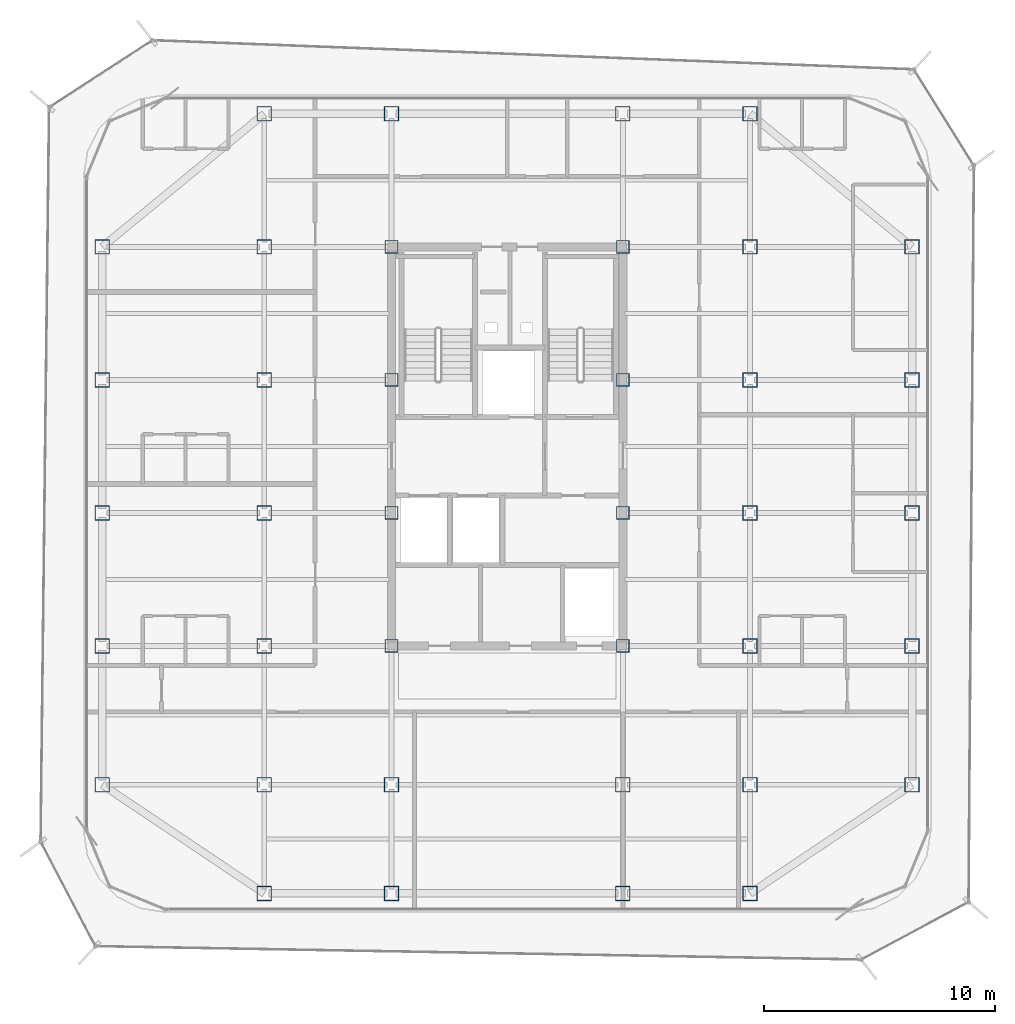
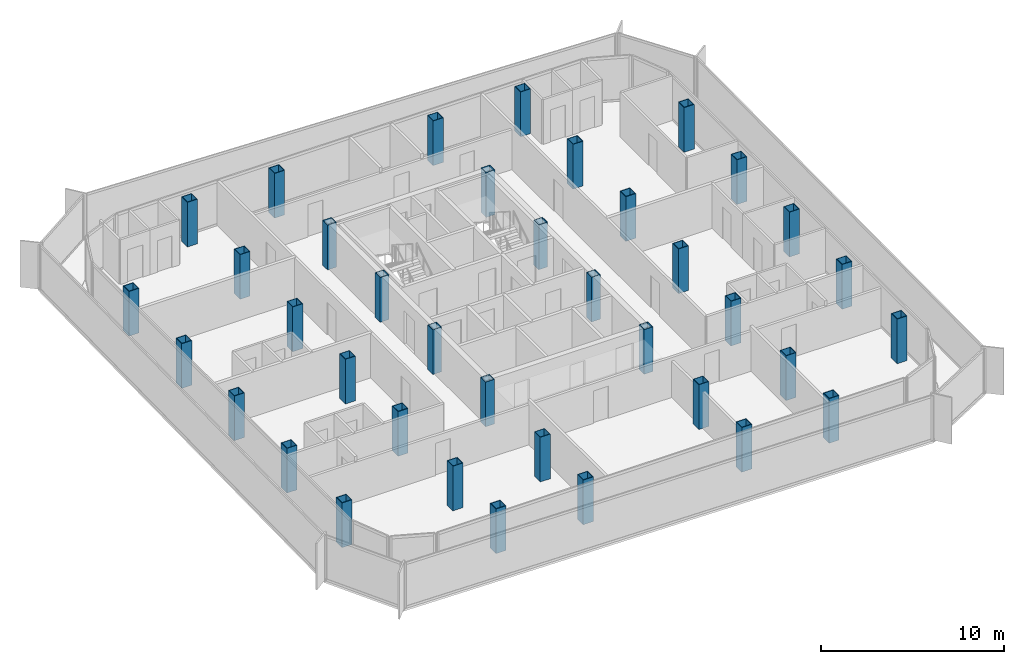
# One storey, part 1 of 15: 38 columns.
"""IFC4 building model written with IfcOpenShell, lengths in metres."""

from ifc_helpers import new_model, si_unit, direction, frame, origin, origin_2d, place, context, subcontext, project, spatial, hollow_rectangle, extrude, source, transform, mapped, material, material_profile, profile_set, type_object, element, save


model = new_model("IFC4")

# Units and contexts
model_context = context("Model", 3, precision=1e-05, world=origin(), true_north=direction((0.0, 1.0)))
body_context = subcontext(model_context, "Body", "Model", "MODEL_VIEW")
ifc_project = project(units=[si_unit("LENGTHUNIT", "METRE"), si_unit("AREAUNIT", "SQUARE_METRE"), si_unit("VOLUMEUNIT", "CUBIC_METRE"), si_unit("PLANEANGLEUNIT", "RADIAN"), si_unit("MASSUNIT", "GRAM", prefix="KILO")], contexts=[model_context])

# Site, building, storey
site_placement = place(None, origin())
site = spatial("IfcSite", under=ifc_project, at=site_placement, CompositionType="ELEMENT")
building_placement = place(site_placement, origin())
building = spatial("IfcBuilding", under=site, at=building_placement, Name="Kolveth Station Tower", CompositionType="ELEMENT")
storey_placement = place(building_placement, frame((0.0, 0.0, 229.699951171875)))
storey = spatial("IfcBuildingStorey", under=building, at=storey_placement, Name="L65", CompositionType="ELEMENT", Elevation=229.699951171875)

# Columns
ifc_material = material(Name="Steel S355", Category="steel")
ifc_material_profile_1 = material_profile(ifc_material, hollow_rectangle(XDim=0.639892578125, YDim=0.639892578125, WallThickness=0.034912109375, at=origin_2d()), Name="BOX640x640x35")
ifc_profile_set_1 = profile_set([ifc_material_profile_1], Name="Steel S355")
column_type_1 = type_object("IfcColumnType", Name="Col_C7", PredefinedType="COLUMN", material=ifc_profile_set_1)
shared_shape_1 = source(origin(), body_context, "Body", "SweptSolid", [
    extrude(hollow_rectangle(XDim=0.639892578125, YDim=0.639892578125, WallThickness=0.034912109375, at=origin_2d()), origin(), (0.0, 0.0, 1.0), 2.97998046875),
])
for number, where, z_axis, x_axis, name in (
    (1, (13.0, 0.800048828125, 0.0), (0.0, 0.0, 1.0), (1.0, 0.0, 0.0), "L65 Tower Column S-X130"),
    (2, (13.0, 34.5, 0.0), (0.0, 0.0, 1.0), (1.0, 0.0, 0.0), "L65 Tower Column N-X130"),
    (3, (18.5, 0.800048828125, 0.0), (0.0, 0.0, 1.0), (1.0, 0.0, 0.0), "L65 Tower Column S-X185"),
    (4, (18.5, 34.5, 0.0), (0.0, 0.0, 1.0), (1.0, 0.0, 0.0), "L65 Tower Column N-X185"),
    (5, (28.5, 0.800048828125, 0.0), (0.0, 0.0, 1.0), (1.0, 0.0, 0.0), "L65 Tower Column S-X285"),
    (6, (28.5, 34.5, 0.0), (0.0, 0.0, 1.0), (1.0, 0.0, 0.0), "L65 Tower Column N-X285"),
    (7, (34.0, 0.800048828125, 0.0), (0.0, 0.0, 1.0), (1.0, 0.0, 0.0), "L65 Tower Column S-X340"),
    (8, (34.0, 34.5, 0.0), (0.0, 0.0, 1.0), (1.0, 0.0, 0.0), "L65 Tower Column N-X340"),
    (9, (6.0, 5.5, 0.0), (0.0, 0.0, 1.0), (1.0, 0.0, 0.0), "L65 Tower Column W-Y55"),
    (10, (41.0, 5.5, 0.0), (0.0, 0.0, 1.0), (1.0, 0.0, 0.0), "L65 Tower Column E-Y55"),
    (11, (6.0, 11.5, 0.0), (0.0, 0.0, 1.0), (1.0, 0.0, 0.0), "L65 Tower Column W-Y115"),
    (12, (41.0, 11.5, 0.0), (0.0, 0.0, 1.0), (1.0, 0.0, 0.0), "L65 Tower Column E-Y115"),
    (13, (6.0, 17.25, 0.0), (0.0, 0.0, 1.0), (1.0, 0.0, 0.0), "L65 Tower Column W-Y172"),
    (14, (41.0, 17.25, 0.0), (0.0, 0.0, 1.0), (1.0, 0.0, 0.0), "L65 Tower Column E-Y172"),
    (15, (6.0, 23.0, 0.0), (0.0, 0.0, 1.0), (1.0, 0.0, 0.0), "L65 Tower Column W-Y230"),
    (16, (41.0, 23.0, 0.0), (0.0, 0.0, 1.0), (1.0, 0.0, 0.0), "L65 Tower Column E-Y230"),
    (17, (6.0, 28.75, 0.0), (0.0, 0.0, 1.0), (1.0, 0.0, 0.0), "L65 Tower Column W-Y287"),
    (18, (41.0, 28.75, 0.0), (0.0, 0.0, 1.0), (1.0, 0.0, 0.0), "L65 Tower Column E-Y287"),
    (19, (13.0, 5.5, 0.0), (0.0, 0.0, 1.0), (1.0, 0.0, 0.0), "L65 Tower Column G-130-55"),
    (20, (13.0, 11.5, 0.0), (0.0, 0.0, 1.0), (1.0, 0.0, 0.0), "L65 Tower Column G-130-115"),
    (21, (13.0, 17.25, 0.0), (0.0, 0.0, 1.0), (1.0, 0.0, 0.0), "L65 Tower Column G-130-172"),
    (22, (13.0, 23.0, 0.0), (0.0, 0.0, 1.0), (1.0, 0.0, 0.0), "L65 Tower Column G-130-230"),
    (23, (13.0, 28.75, 0.0), (0.0, 0.0, 1.0), (1.0, 0.0, 0.0), "L65 Tower Column G-130-287"),
    (24, (18.5, 5.5, 0.0), (0.0, 0.0, 1.0), (1.0, 0.0, 0.0), "L65 Tower Column G-185-55"),
    (25, (28.5, 5.5, 0.0), (0.0, 0.0, 1.0), (1.0, 0.0, 0.0), "L65 Tower Column G-285-55"),
    (26, (34.0, 5.5, 0.0), (0.0, 0.0, 1.0), (1.0, 0.0, 0.0), "L65 Tower Column G-340-55"),
    (27, (34.0, 11.5, 0.0), (0.0, 0.0, 1.0), (1.0, 0.0, 0.0), "L65 Tower Column G-340-115"),
    (28, (34.0, 17.25, 0.0), (0.0, 0.0, 1.0), (1.0, 0.0, 0.0), "L65 Tower Column G-340-172"),
    (29, (34.0, 23.0, 0.0), (0.0, 0.0, 1.0), (1.0, 0.0, 0.0), "L65 Tower Column G-340-230"),
    (30, (34.0, 28.75, 0.0), (0.0, 0.0, 1.0), (1.0, 0.0, 0.0), "L65 Tower Column G-340-287"),
):
    element("IfcColumn", number, at=place(storey_placement, frame(where, z_axis=z_axis, x_axis=x_axis)), inside=storey, type_object=column_type_1, Name=name, PredefinedType="COLUMN", context=body_context, shape_type="MappedRepresentation", body=[
        mapped(shared_shape_1, transform((0.0, 0.0, 0.0), x_axis=(1.0, 0.0, 0.0), y_axis=(0.0, 1.0, 0.0), z_axis=(0.0, 0.0, 1.0), scale=1.0)),
    ])
ifc_material_profile_2 = material_profile(ifc_material, hollow_rectangle(XDim=0.56005859375, YDim=0.56005859375, WallThickness=0.030029296875, at=origin_2d()), Name="BOX560x560x30")
ifc_profile_set_2 = profile_set([ifc_material_profile_2], Name="Steel S355")
column_type_2 = type_object("IfcColumnType", Name="Col_C8", PredefinedType="COLUMN", material=ifc_profile_set_2)
shared_shape_2 = source(origin(), body_context, "Body", "SweptSolid", [
    extrude(hollow_rectangle(XDim=0.56005859375, YDim=0.56005859375, WallThickness=0.030029296875, at=origin_2d()), origin(), (0.0, 0.0, 1.0), 2.97998046875),
])
for number, where, z_axis, x_axis, name in (
    (31, (18.5, 11.5, 0.0), (0.0, 0.0, 1.0), (1.0, 0.0, 0.0), "L65 Tower Column G-185-115"),
    (32, (18.5, 17.25, 0.0), (0.0, 0.0, 1.0), (1.0, 0.0, 0.0), "L65 Tower Column G-185-172"),
    (33, (18.5, 23.0, 0.0), (0.0, 0.0, 1.0), (1.0, 0.0, 0.0), "L65 Tower Column G-185-230"),
    (34, (18.5, 28.75, 0.0), (0.0, 0.0, 1.0), (1.0, 0.0, 0.0), "L65 Tower Column G-185-287"),
    (35, (28.5, 11.5, 0.0), (0.0, 0.0, 1.0), (1.0, 0.0, 0.0), "L65 Tower Column G-285-115"),
    (36, (28.5, 17.25, 0.0), (0.0, 0.0, 1.0), (1.0, 0.0, 0.0), "L65 Tower Column G-285-172"),
    (37, (28.5, 23.0, 0.0), (0.0, 0.0, 1.0), (1.0, 0.0, 0.0), "L65 Tower Column G-285-230"),
    (38, (28.5, 28.75, 0.0), (0.0, 0.0, 1.0), (1.0, 0.0, 0.0), "L65 Tower Column G-285-287"),
):
    element("IfcColumn", number, at=place(storey_placement, frame(where, z_axis=z_axis, x_axis=x_axis)), inside=storey, type_object=column_type_2, Name=name, PredefinedType="COLUMN", context=body_context, shape_type="MappedRepresentation", body=[
        mapped(shared_shape_2, transform((0.0, 0.0, 0.0), x_axis=(1.0, 0.0, 0.0), y_axis=(0.0, 1.0, 0.0), z_axis=(0.0, 0.0, 1.0), scale=1.0)),
    ])

save(model, "model.ifc")
